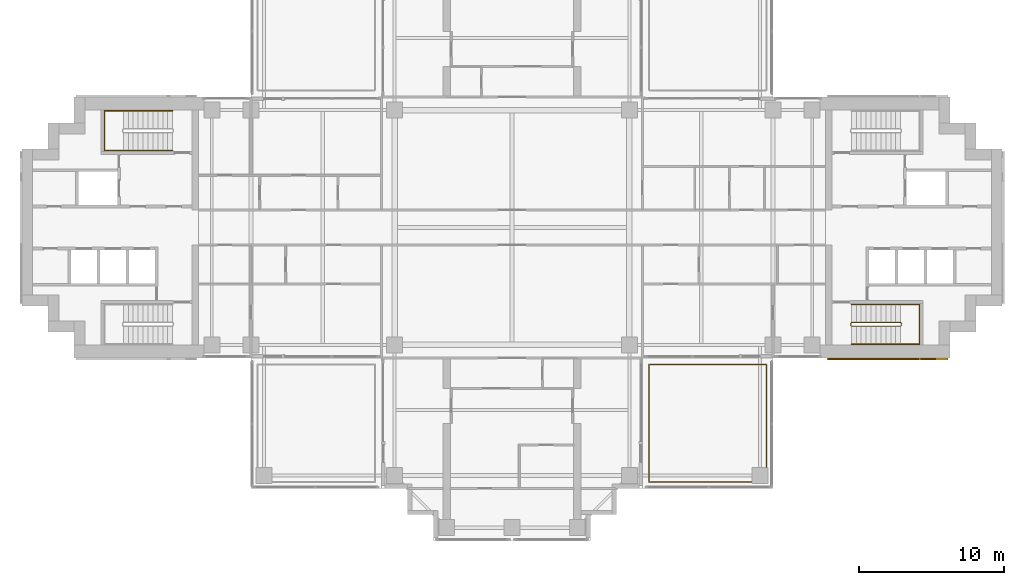
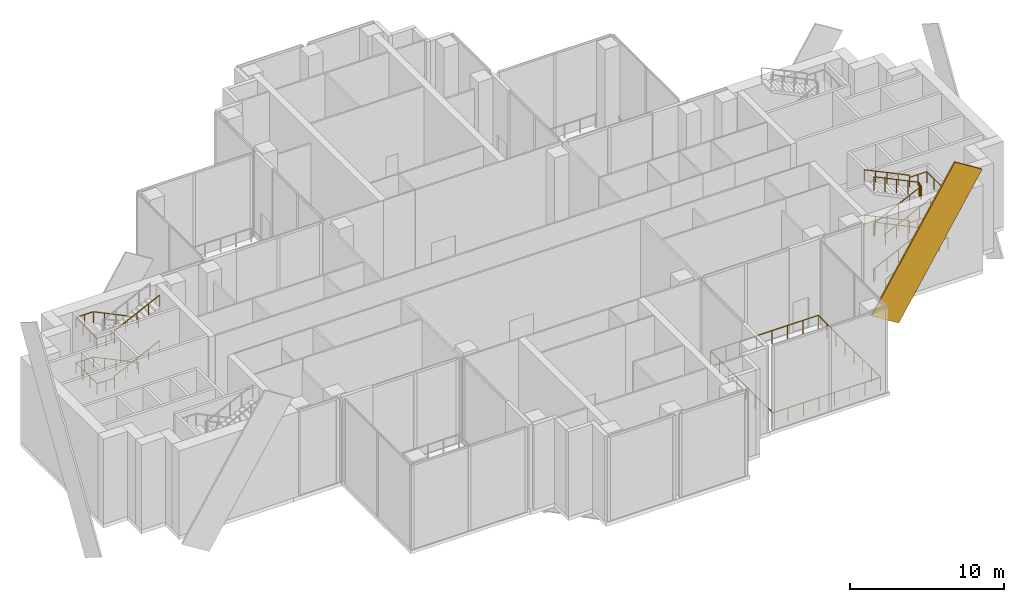
# One storey, part 16 of 17: 6 railings, 1 covering.
"""IFC4 building model written with IfcOpenShell, lengths in metres."""

from ifc_helpers import new_model, si_unit, direction, frame, origin, origin_2d, place, context, subcontext, project, spatial, rectangle, extrude, material, material_profile, profile_set, type_object, element, save


model = new_model("IFC4")

# Units and contexts
model_context = context("Model", 3, precision=1e-05, world=origin(), true_north=direction((0.0, 1.0)))
body_context = subcontext(model_context, "Body", "Model", "MODEL_VIEW")
ifc_project = project(units=[si_unit("LENGTHUNIT", "METRE"), si_unit("AREAUNIT", "SQUARE_METRE"), si_unit("VOLUMEUNIT", "CUBIC_METRE"), si_unit("PLANEANGLEUNIT", "RADIAN"), si_unit("MASSUNIT", "GRAM", prefix="KILO")], contexts=[model_context])

# Site, building, storey
site_placement = place(None, origin())
site = spatial("IfcSite", under=ifc_project, at=site_placement, CompositionType="ELEMENT")
building_placement = place(site_placement, origin())
building = spatial("IfcBuilding", under=site, at=building_placement, Name="Perihelion Cross Residences", CompositionType="ELEMENT")
storey_placement = place(building_placement, frame((0.0, 0.0, 154.89990234375)))
storey = spatial("IfcBuildingStorey", under=building, at=storey_placement, Name="L38", CompositionType="ELEMENT", Elevation=154.89990234375)

# Railing
ifc_material_1 = material(Name="Bronze anodised aluminium", Category="aluminium")
railing_type_1 = type_object("IfcRailingType", Name="Balcony guard 1100", PredefinedType="GUARDRAIL", material=ifc_material_1)
railing_1_placement = place(storey_placement, frame((17.550048828125, -17.550048828125, 0.0)))
element("IfcRailing", 1, at=railing_1_placement, inside=storey, type_object=railing_type_1, Name="Guard GU1 L38 pocket south-east 1", PredefinedType="GUARDRAIL", context=body_context, shape_type="SweptSolid", body=[
    extrude(rectangle(XDim=0.048095703125, YDim=0.048095703125, at=origin_2d()), frame((0.0, 0.0, 1.076171875), z_axis=(-1.0, 0.0, 0.0), x_axis=(0.0, -1.0, 0.0)), (0.0, 0.0, 1.0), 8.10009765625),
    extrude(rectangle(XDim=0.048095703125, YDim=0.048095703125, at=origin_2d()), frame((-8.10009765625, 0.0, 1.076171875), z_axis=(0.0, 1.0, 0.0), x_axis=(-1.0, 0.0, 0.0)), (0.0, 0.0, 1.0), 8.10009765625),
    extrude(rectangle(XDim=0.048095703125, YDim=0.048095703125, at=origin_2d()), frame((-8.10009765625, 8.10009765625, 1.076171875), z_axis=(1.0, 0.0, 0.0), x_axis=(0.0, 1.0, 0.0)), (0.0, 0.0, 1.0), 8.10009765625),
    extrude(rectangle(XDim=0.048095703125, YDim=0.048095703125, at=origin_2d()), frame((0.0, 8.10009765625, 1.076171875), z_axis=(0.0, -1.0, 0.0), x_axis=(1.0, 0.0, 0.0)), (0.0, 0.0, 1.0), 8.10009765625),
    extrude(rectangle(XDim=0.0419921875, YDim=0.0419921875, at=origin_2d()), origin(), (0.0, 0.0, 1.0), 1.052001953125),
    extrude(rectangle(XDim=0.0419921875, YDim=0.0419921875, at=origin_2d()), frame((-1.1572265625, 0.0, 0.0)), (0.0, 0.0, 1.0), 1.052001953125),
    extrude(rectangle(XDim=0.0419921875, YDim=0.0419921875, at=origin_2d()), frame((-2.314208984375, 0.0, 0.0)), (0.0, 0.0, 1.0), 1.052001953125),
    extrude(rectangle(XDim=0.0419921875, YDim=0.0419921875, at=origin_2d()), frame((-3.471435546875, 0.0, 0.0)), (0.0, 0.0, 1.0), 1.052001953125),
    extrude(rectangle(XDim=0.0419921875, YDim=0.0419921875, at=origin_2d()), frame((-4.628662109375, 0.0, 0.0)), (0.0, 0.0, 1.0), 1.052001953125),
    extrude(rectangle(XDim=0.0419921875, YDim=0.0419921875, at=origin_2d()), frame((-5.785888671875, 0.0, 0.0)), (0.0, 0.0, 1.0), 1.052001953125),
    extrude(rectangle(XDim=0.0419921875, YDim=0.0419921875, at=origin_2d()), frame((-6.94287109375, 0.0, 0.0)), (0.0, 0.0, 1.0), 1.052001953125),
    extrude(rectangle(XDim=0.0419921875, YDim=0.0419921875, at=origin_2d()), frame((-8.10009765625, 0.0, 0.0)), (0.0, 0.0, 1.0), 1.052001953125),
    extrude(rectangle(XDim=0.0419921875, YDim=0.0419921875, at=origin_2d()), frame((-8.10009765625, 1.1572265625, 0.0)), (0.0, 0.0, 1.0), 1.052001953125),
    extrude(rectangle(XDim=0.0419921875, YDim=0.0419921875, at=origin_2d()), frame((-8.10009765625, 2.314208984375, 0.0)), (0.0, 0.0, 1.0), 1.052001953125),
    extrude(rectangle(XDim=0.0419921875, YDim=0.0419921875, at=origin_2d()), frame((-8.10009765625, 3.471435546875, 0.0)), (0.0, 0.0, 1.0), 1.052001953125),
    extrude(rectangle(XDim=0.0419921875, YDim=0.0419921875, at=origin_2d()), frame((-8.10009765625, 4.628662109375, 0.0)), (0.0, 0.0, 1.0), 1.052001953125),
    extrude(rectangle(XDim=0.0419921875, YDim=0.0419921875, at=origin_2d()), frame((-8.10009765625, 5.785888671875, 0.0)), (0.0, 0.0, 1.0), 1.052001953125),
    extrude(rectangle(XDim=0.0419921875, YDim=0.0419921875, at=origin_2d()), frame((-8.10009765625, 6.94287109375, 0.0)), (0.0, 0.0, 1.0), 1.052001953125),
    extrude(rectangle(XDim=0.0419921875, YDim=0.0419921875, at=origin_2d()), frame((-8.10009765625, 8.10009765625, 0.0)), (0.0, 0.0, 1.0), 1.052001953125),
    extrude(rectangle(XDim=0.0419921875, YDim=0.0419921875, at=origin_2d()), frame((-6.94287109375, 8.10009765625, 0.0)), (0.0, 0.0, 1.0), 1.052001953125),
    extrude(rectangle(XDim=0.0419921875, YDim=0.0419921875, at=origin_2d()), frame((-5.785888671875, 8.10009765625, 0.0)), (0.0, 0.0, 1.0), 1.052001953125),
    extrude(rectangle(XDim=0.0419921875, YDim=0.0419921875, at=origin_2d()), frame((-4.628662109375, 8.10009765625, 0.0)), (0.0, 0.0, 1.0), 1.052001953125),
    extrude(rectangle(XDim=0.0419921875, YDim=0.0419921875, at=origin_2d()), frame((-3.471435546875, 8.10009765625, 0.0)), (0.0, 0.0, 1.0), 1.052001953125),
    extrude(rectangle(XDim=0.0419921875, YDim=0.0419921875, at=origin_2d()), frame((-2.314208984375, 8.10009765625, 0.0)), (0.0, 0.0, 1.0), 1.052001953125),
    extrude(rectangle(XDim=0.0419921875, YDim=0.0419921875, at=origin_2d()), frame((-1.1572265625, 8.10009765625, 0.0)), (0.0, 0.0, 1.0), 1.052001953125),
    extrude(rectangle(XDim=0.0419921875, YDim=0.0419921875, at=origin_2d()), frame((0.0, 8.10009765625, 0.0)), (0.0, 0.0, 1.0), 1.052001953125),
    extrude(rectangle(XDim=0.0419921875, YDim=0.0419921875, at=origin_2d()), frame((0.0, 6.94287109375, 0.0)), (0.0, 0.0, 1.0), 1.052001953125),
    extrude(rectangle(XDim=0.0419921875, YDim=0.0419921875, at=origin_2d()), frame((0.0, 5.785888671875, 0.0)), (0.0, 0.0, 1.0), 1.052001953125),
    extrude(rectangle(XDim=0.0419921875, YDim=0.0419921875, at=origin_2d()), frame((0.0, 4.628662109375, 0.0)), (0.0, 0.0, 1.0), 1.052001953125),
    extrude(rectangle(XDim=0.0419921875, YDim=0.0419921875, at=origin_2d()), frame((0.0, 3.471435546875, 0.0)), (0.0, 0.0, 1.0), 1.052001953125),
    extrude(rectangle(XDim=0.0419921875, YDim=0.0419921875, at=origin_2d()), frame((0.0, 2.314208984375, 0.0)), (0.0, 0.0, 1.0), 1.052001953125),
    extrude(rectangle(XDim=0.0419921875, YDim=0.0419921875, at=origin_2d()), frame((0.0, 1.1572265625, 0.0)), (0.0, 0.0, 1.0), 1.052001953125),
])

# Covering
ifc_material_2 = material(Name="Bronze anodised aluminium", Category="aluminium")
ifc_material_profile = material_profile(ifc_material_2, rectangle(XDim=0.125, YDim=2.39990234375, at=origin_2d()), Name="Bronze cladding band 2400")
ifc_profile_set = profile_set([ifc_material_profile], Name="Bronze anodised aluminium")
covering_type = type_object("IfcCoveringType", Name="Bronze cladding band 2400", PredefinedType="CLADDING", material=ifc_profile_set)
covering_placement = place(storey_placement, frame((22.767578125, -9.0625, -1.288818359375), z_axis=(0.529915403603, 0.0, 0.848050508534), x_axis=(0.0, 1.0, 0.0)))
element("IfcCovering", 2, at=covering_placement, inside=storey, type_object=covering_type, Name="Core cladding band, east core", PredefinedType="CLADDING", context=body_context, shape_type="SweptSolid", body=[
    extrude(rectangle(XDim=0.125, YDim=2.39990234375, at=origin_2d()), origin(), (0.0, 0.0, 1.0), 11.822021484375),
])

# Railings
ifc_material_3 = material(Name="Stainless steel", Category="steel")
railing_type_2 = type_object("IfcRailingType", Name="Stair guard 1100", PredefinedType="GUARDRAIL", material=ifc_material_3)
railing_2_placement = place(storey_placement, frame((23.35009765625, -6.60009765625, 0.0)))
element("IfcRailing", 3, at=railing_2_placement, inside=storey, type_object=railing_type_2, Name="L38 ST-E2 stair guard 1", PredefinedType="GUARDRAIL", context=body_context, shape_type="SweptSolid", body=[
    extrude(rectangle(XDim=0.048095703125, YDim=0.048095703125, at=origin_2d()), frame((0.0, 0.0, 1.076171875), z_axis=(0.0, -1.0, 0.0), x_axis=(1.0, 0.0, 0.0)), (0.0, 0.0, 1.0), 0.14990234375),
    extrude(rectangle(XDim=0.048095703125, YDim=0.048095703125, at=origin_2d()), frame((0.0, -0.14990234375, 1.076171875), z_axis=(0.279194930351, -0.280563532951, 0.91833234444), x_axis=(0.708833529934, 0.705375805398, 0.0)), (0.0, 0.0, 1.0), 0.178466796875),
    extrude(rectangle(XDim=0.048095703125, YDim=0.048095703125, at=origin_2d()), frame((0.0498046875, -0.199951171875, 1.23974609375), z_axis=(0.901092505359, 0.0, 0.433626909666), x_axis=(0.0, 1.0, 0.0)), (0.0, 0.0, 1.0), 3.7734375),
    extrude(rectangle(XDim=0.048095703125, YDim=0.048095703125, at=origin_2d()), frame((3.449951171875, -0.199951171875, 2.8759765625), z_axis=(0.707106781187, 0.707106781187, 0.0), x_axis=(-0.707106781187, 0.707106781187, 0.0)), (0.0, 0.0, 1.0), 0.07080078125),
    extrude(rectangle(XDim=0.048095703125, YDim=0.048095703125, at=origin_2d()), frame((3.5, -0.14990234375, 2.8759765625), z_axis=(0.0, 1.0, 0.0), x_axis=(-1.0, 0.0, 0.0)), (0.0, 0.0, 1.0), 0.14990234375),
    extrude(rectangle(XDim=0.048095703125, YDim=0.048095703125, at=origin_2d()), frame((3.5, 0.0, 2.8759765625), z_axis=(-0.280808744504, 0.280808744504, 0.917765164963), x_axis=(-0.707106781187, -0.707106781187, 0.0)), (0.0, 0.0, 1.0), 0.17822265625),
    extrude(rectangle(XDim=0.048095703125, YDim=0.048095703125, at=origin_2d()), frame((3.449951171875, 0.050048828125, 3.03955078125), z_axis=(-0.901067223353, 0.0, 0.433679442675), x_axis=(0.0, -1.0, 0.0)), (0.0, 0.0, 1.0), 3.7734375),
    extrude(rectangle(XDim=0.048095703125, YDim=0.048095703125, at=origin_2d()), frame((0.0498046875, 0.050048828125, 4.67626953125), z_axis=(-0.241699205484, -0.970351222016, 0.0), x_axis=(0.970351222016, -0.241699205484, 0.0)), (0.0, 0.0, 1.0), 0.2060546875),
    extrude(rectangle(XDim=0.048095703125, YDim=0.048095703125, at=origin_2d()), frame((0.0, -0.14990234375, 4.67626953125), z_axis=(0.0, 1.0, 0.0), x_axis=(-1.0, 0.0, 0.0)), (0.0, 0.0, 1.0), 0.14990234375),
    extrude(rectangle(XDim=0.048095703125, YDim=0.048095703125, at=origin_2d()), frame((0.0, 0.0, 4.67626953125), z_axis=(0.189305074214, -0.760004195007, 0.621737253547), x_axis=(0.970351222016, 0.241699205484, 0.0)), (0.0, 0.0, 1.0), 0.26318359375),
    extrude(rectangle(XDim=0.048095703125, YDim=0.048095703125, at=origin_2d()), frame((0.0498046875, -0.199951171875, 4.83984375), z_axis=(0.901067223353, 0.0, 0.433679442675), x_axis=(0.0, 1.0, 0.0)), (0.0, 0.0, 1.0), 3.7734375),
    extrude(rectangle(XDim=0.048095703125, YDim=0.048095703125, at=origin_2d()), frame((3.449951171875, -0.199951171875, 6.47607421875), z_axis=(0.707106781187, 0.707106781187, 0.0), x_axis=(-0.707106781187, 0.707106781187, 0.0)), (0.0, 0.0, 1.0), 0.07080078125),
    extrude(rectangle(XDim=0.048095703125, YDim=0.048095703125, at=origin_2d()), frame((3.5, -0.14990234375, 6.47607421875), z_axis=(0.0, 1.0, 0.0), x_axis=(-1.0, 0.0, 0.0)), (0.0, 0.0, 1.0), 0.14990234375),
    extrude(rectangle(XDim=0.048095703125, YDim=0.048095703125, at=origin_2d()), frame((3.5, 0.0, 6.47607421875), z_axis=(-0.280808744504, 0.280808744504, 0.917765164963), x_axis=(-0.707106781187, -0.707106781187, 0.0)), (0.0, 0.0, 1.0), 0.17822265625),
    extrude(rectangle(XDim=0.048095703125, YDim=0.048095703125, at=origin_2d()), frame((3.449951171875, 0.050048828125, 6.6396484375), z_axis=(-0.901067223353, 0.0, 0.433679442675), x_axis=(0.0, -1.0, 0.0)), (0.0, 0.0, 1.0), 3.7734375),
    extrude(rectangle(XDim=0.0419921875, YDim=0.0419921875, at=origin_2d()), origin(), (0.0, 0.0, 1.0), 1.052001953125),
    extrude(rectangle(XDim=0.0419921875, YDim=0.0419921875, at=origin_2d()), frame((0.0, -0.14990234375, 0.0)), (0.0, 0.0, 1.0), 1.052001953125),
    extrude(rectangle(XDim=0.0419921875, YDim=0.0419921875, at=origin_2d()), frame((0.0498046875, -0.199951171875, 0.163818359375)), (0.0, 0.0, 1.0), 1.052001953125),
    extrude(rectangle(XDim=0.0419921875, YDim=0.0419921875, at=origin_2d()), frame((0.89990234375, -0.199951171875, 0.57275390625)), (0.0, 0.0, 1.0), 1.052001953125),
    extrude(rectangle(XDim=0.0419921875, YDim=0.0419921875, at=origin_2d()), frame((1.75, -0.199951171875, 0.98193359375)), (0.0, 0.0, 1.0), 1.052001953125),
    extrude(rectangle(XDim=0.0419921875, YDim=0.0419921875, at=origin_2d()), frame((2.599853515625, -0.199951171875, 1.39111328125)), (0.0, 0.0, 1.0), 1.052001953125),
    extrude(rectangle(XDim=0.0419921875, YDim=0.0419921875, at=origin_2d()), frame((3.449951171875, -0.199951171875, 1.800048828125)), (0.0, 0.0, 1.0), 1.052001953125),
    extrude(rectangle(XDim=0.0419921875, YDim=0.0419921875, at=origin_2d()), frame((3.5, -0.14990234375, 1.800048828125)), (0.0, 0.0, 1.0), 1.052001953125),
    extrude(rectangle(XDim=0.0419921875, YDim=0.0419921875, at=origin_2d()), frame((3.5, 0.0, 1.800048828125)), (0.0, 0.0, 1.0), 1.052001953125),
    extrude(rectangle(XDim=0.0419921875, YDim=0.0419921875, at=origin_2d()), frame((3.449951171875, 0.050048828125, 1.963623046875)), (0.0, 0.0, 1.0), 1.052001953125),
    extrude(rectangle(XDim=0.0419921875, YDim=0.0419921875, at=origin_2d()), frame((2.599853515625, 0.050048828125, 2.372802734375)), (0.0, 0.0, 1.0), 1.052001953125),
    extrude(rectangle(XDim=0.0419921875, YDim=0.0419921875, at=origin_2d()), frame((1.75, 0.050048828125, 2.78173828125)), (0.0, 0.0, 1.0), 1.052001953125),
    extrude(rectangle(XDim=0.0419921875, YDim=0.0419921875, at=origin_2d()), frame((0.89990234375, 0.050048828125, 3.19091796875)), (0.0, 0.0, 1.0), 1.052001953125),
    extrude(rectangle(XDim=0.0419921875, YDim=0.0419921875, at=origin_2d()), frame((0.0498046875, 0.050048828125, 3.60009765625)), (0.0, 0.0, 1.0), 1.052001953125),
    extrude(rectangle(XDim=0.0419921875, YDim=0.0419921875, at=origin_2d()), frame((0.0, -0.14990234375, 3.60009765625)), (0.0, 0.0, 1.0), 1.052001953125),
    extrude(rectangle(XDim=0.0419921875, YDim=0.0419921875, at=origin_2d()), frame((0.0, 0.0, 3.60009765625)), (0.0, 0.0, 1.0), 1.052001953125),
    extrude(rectangle(XDim=0.0419921875, YDim=0.0419921875, at=origin_2d()), frame((0.0498046875, -0.199951171875, 3.763671875)), (0.0, 0.0, 1.0), 1.052001953125),
    extrude(rectangle(XDim=0.0419921875, YDim=0.0419921875, at=origin_2d()), frame((0.89990234375, -0.199951171875, 4.1728515625)), (0.0, 0.0, 1.0), 1.052001953125),
    extrude(rectangle(XDim=0.0419921875, YDim=0.0419921875, at=origin_2d()), frame((1.75, -0.199951171875, 4.58203125)), (0.0, 0.0, 1.0), 1.052001953125),
    extrude(rectangle(XDim=0.0419921875, YDim=0.0419921875, at=origin_2d()), frame((2.599853515625, -0.199951171875, 4.990966796875)), (0.0, 0.0, 1.0), 1.052001953125),
    extrude(rectangle(XDim=0.0419921875, YDim=0.0419921875, at=origin_2d()), frame((3.449951171875, -0.199951171875, 5.400146484375)), (0.0, 0.0, 1.0), 1.052001953125),
    extrude(rectangle(XDim=0.0419921875, YDim=0.0419921875, at=origin_2d()), frame((3.5, -0.14990234375, 5.400146484375)), (0.0, 0.0, 1.0), 1.052001953125),
    extrude(rectangle(XDim=0.0419921875, YDim=0.0419921875, at=origin_2d()), frame((3.5, 0.0, 5.400146484375)), (0.0, 0.0, 1.0), 1.052001953125),
    extrude(rectangle(XDim=0.0419921875, YDim=0.0419921875, at=origin_2d()), frame((3.449951171875, 0.050048828125, 5.563720703125)), (0.0, 0.0, 1.0), 1.052001953125),
    extrude(rectangle(XDim=0.0419921875, YDim=0.0419921875, at=origin_2d()), frame((2.599853515625, 0.050048828125, 5.972900390625)), (0.0, 0.0, 1.0), 1.052001953125),
    extrude(rectangle(XDim=0.0419921875, YDim=0.0419921875, at=origin_2d()), frame((1.75, 0.050048828125, 6.3818359375)), (0.0, 0.0, 1.0), 1.052001953125),
    extrude(rectangle(XDim=0.0419921875, YDim=0.0419921875, at=origin_2d()), frame((0.89990234375, 0.050048828125, 6.791015625)), (0.0, 0.0, 1.0), 1.052001953125),
    extrude(rectangle(XDim=0.0419921875, YDim=0.0419921875, at=origin_2d()), frame((0.0498046875, 0.050048828125, 7.2001953125)), (0.0, 0.0, 1.0), 1.052001953125),
])
ifc_material_4 = material(Name="Stainless steel", Category="steel")
railing_type_3 = type_object("IfcRailingType", Name="Stair handrail 900", PredefinedType="HANDRAIL", material=ifc_material_4)
railing_3_placement = place(storey_placement, frame((23.39990234375, -8.050048828125, 0.163818359375)))
element("IfcRailing", 4, at=railing_3_placement, inside=storey, type_object=railing_type_3, Name="L38 ST-E2 stair handrail 1", PredefinedType="HANDRAIL", context=body_context, shape_type="SweptSolid", body=[
    extrude(rectangle(XDim=0.048095703125, YDim=0.048095703125, at=origin_2d()), frame((0.0, 0.0, 0.8759765625), z_axis=(0.901092505359, 0.0, 0.433626909666), x_axis=(0.0, 1.0, 0.0)), (0.0, 0.0, 1.0), 3.7734375),
    extrude(rectangle(XDim=0.048095703125, YDim=0.048095703125, at=origin_2d()), frame((3.400146484375, 0.0, 2.51220703125), z_axis=(1.0, 0.0, 0.0), x_axis=(0.0, 1.0, 0.0)), (0.0, 0.0, 1.0), 1.300048828125),
    extrude(rectangle(XDim=0.048095703125, YDim=0.048095703125, at=origin_2d()), frame((4.7001953125, 0.0, 2.51220703125), z_axis=(0.0, 1.0, 0.0), x_axis=(-1.0, 0.0, 0.0)), (0.0, 0.0, 1.0), 2.75),
    extrude(rectangle(XDim=0.048095703125, YDim=0.048095703125, at=origin_2d()), frame((4.7001953125, 2.75, 2.51220703125), z_axis=(-1.0, 0.0, 0.0), x_axis=(0.0, -1.0, 0.0)), (0.0, 0.0, 1.0), 1.300048828125),
    extrude(rectangle(XDim=0.048095703125, YDim=0.048095703125, at=origin_2d()), frame((3.400146484375, 2.75, 2.51220703125), z_axis=(0.0, 0.0, 1.0), x_axis=(1.0, 0.0, 0.0)), (0.0, 0.0, 1.0), 0.16357421875),
    extrude(rectangle(XDim=0.048095703125, YDim=0.048095703125, at=origin_2d()), frame((3.400146484375, 2.75, 2.67578125), z_axis=(-0.901067223353, 0.0, 0.433679442675), x_axis=(0.0, -1.0, 0.0)), (0.0, 0.0, 1.0), 3.7734375),
    extrude(rectangle(XDim=0.0419921875, YDim=0.0419921875, at=origin_2d()), origin(), (0.0, 0.0, 1.0), 0.851806640625),
    extrude(rectangle(XDim=0.0419921875, YDim=0.0419921875, at=origin_2d()), frame((0.85009765625, 0.0, 0.4091796875)), (0.0, 0.0, 1.0), 0.851806640625),
    extrude(rectangle(XDim=0.0419921875, YDim=0.0419921875, at=origin_2d()), frame((1.7001953125, 0.0, 0.818115234375)), (0.0, 0.0, 1.0), 0.851806640625),
    extrude(rectangle(XDim=0.0419921875, YDim=0.0419921875, at=origin_2d()), frame((2.550048828125, 0.0, 1.22705078125)), (0.0, 0.0, 1.0), 0.851806640625),
    extrude(rectangle(XDim=0.0419921875, YDim=0.0419921875, at=origin_2d()), frame((3.400146484375, 0.0, 1.63623046875)), (0.0, 0.0, 1.0), 0.851806640625),
    extrude(rectangle(XDim=0.0419921875, YDim=0.0419921875, at=origin_2d()), frame((4.05029296875, 0.0, 1.63623046875)), (0.0, 0.0, 1.0), 0.851806640625),
    extrude(rectangle(XDim=0.0419921875, YDim=0.0419921875, at=origin_2d()), frame((4.7001953125, 0.0, 1.63623046875)), (0.0, 0.0, 1.0), 0.851806640625),
    extrude(rectangle(XDim=0.0419921875, YDim=0.0419921875, at=origin_2d()), frame((4.7001953125, 0.916748046875, 1.63623046875)), (0.0, 0.0, 1.0), 0.851806640625),
    extrude(rectangle(XDim=0.0419921875, YDim=0.0419921875, at=origin_2d()), frame((4.7001953125, 1.833251953125, 1.63623046875)), (0.0, 0.0, 1.0), 0.851806640625),
    extrude(rectangle(XDim=0.0419921875, YDim=0.0419921875, at=origin_2d()), frame((4.7001953125, 2.75, 1.63623046875)), (0.0, 0.0, 1.0), 0.851806640625),
    extrude(rectangle(XDim=0.0419921875, YDim=0.0419921875, at=origin_2d()), frame((4.05029296875, 2.75, 1.63623046875)), (0.0, 0.0, 1.0), 0.851806640625),
    extrude(rectangle(XDim=0.0419921875, YDim=0.0419921875, at=origin_2d()), frame((3.400146484375, 2.75, 1.63623046875)), (0.0, 0.0, 1.0), 0.851806640625),
    extrude(rectangle(XDim=0.0419921875, YDim=0.0419921875, at=origin_2d()), frame((3.400146484375, 2.75, 1.7998046875)), (0.0, 0.0, 1.0), 0.851806640625),
    extrude(rectangle(XDim=0.0419921875, YDim=0.0419921875, at=origin_2d()), frame((2.550048828125, 2.75, 2.208984375)), (0.0, 0.0, 1.0), 0.851806640625),
    extrude(rectangle(XDim=0.0419921875, YDim=0.0419921875, at=origin_2d()), frame((1.7001953125, 2.75, 2.6181640625)), (0.0, 0.0, 1.0), 0.851806640625),
    extrude(rectangle(XDim=0.0419921875, YDim=0.0419921875, at=origin_2d()), frame((0.85009765625, 2.75, 3.027099609375)), (0.0, 0.0, 1.0), 0.851806640625),
    extrude(rectangle(XDim=0.0419921875, YDim=0.0419921875, at=origin_2d()), frame((0.0, 2.75, 3.436279296875)), (0.0, 0.0, 1.0), 0.851806640625),
])
railing_4_placement = place(storey_placement, frame((23.39990234375, -8.050048828125, 3.763671875)))
element("IfcRailing", 5, at=railing_4_placement, inside=storey, type_object=railing_type_3, Name="L38 ST-E2 stair handrail 2", PredefinedType="HANDRAIL", context=body_context, shape_type="SweptSolid", body=[
    extrude(rectangle(XDim=0.048095703125, YDim=0.048095703125, at=origin_2d()), frame((0.0, 0.0, 0.8759765625), z_axis=(0.901067223353, 0.0, 0.433679442675), x_axis=(0.0, 1.0, 0.0)), (0.0, 0.0, 1.0), 3.7734375),
    extrude(rectangle(XDim=0.048095703125, YDim=0.048095703125, at=origin_2d()), frame((3.400146484375, 0.0, 2.51220703125), z_axis=(1.0, 0.0, 0.0), x_axis=(0.0, 1.0, 0.0)), (0.0, 0.0, 1.0), 1.300048828125),
    extrude(rectangle(XDim=0.048095703125, YDim=0.048095703125, at=origin_2d()), frame((4.7001953125, 0.0, 2.51220703125), z_axis=(0.0, 1.0, 0.0), x_axis=(-1.0, 0.0, 0.0)), (0.0, 0.0, 1.0), 2.75),
    extrude(rectangle(XDim=0.048095703125, YDim=0.048095703125, at=origin_2d()), frame((4.7001953125, 2.75, 2.51220703125), z_axis=(-1.0, 0.0, 0.0), x_axis=(0.0, -1.0, 0.0)), (0.0, 0.0, 1.0), 1.300048828125),
    extrude(rectangle(XDim=0.048095703125, YDim=0.048095703125, at=origin_2d()), frame((3.400146484375, 2.75, 2.51220703125), z_axis=(0.0, 0.0, 1.0), x_axis=(1.0, 0.0, 0.0)), (0.0, 0.0, 1.0), 0.16357421875),
    extrude(rectangle(XDim=0.048095703125, YDim=0.048095703125, at=origin_2d()), frame((3.400146484375, 2.75, 2.67578125), z_axis=(-0.901067223353, 0.0, 0.433679442675), x_axis=(0.0, -1.0, 0.0)), (0.0, 0.0, 1.0), 3.7734375),
    extrude(rectangle(XDim=0.0419921875, YDim=0.0419921875, at=origin_2d()), origin(), (0.0, 0.0, 1.0), 0.851806640625),
    extrude(rectangle(XDim=0.0419921875, YDim=0.0419921875, at=origin_2d()), frame((0.85009765625, 0.0, 0.4091796875)), (0.0, 0.0, 1.0), 0.851806640625),
    extrude(rectangle(XDim=0.0419921875, YDim=0.0419921875, at=origin_2d()), frame((1.7001953125, 0.0, 0.818359375)), (0.0, 0.0, 1.0), 0.851806640625),
    extrude(rectangle(XDim=0.0419921875, YDim=0.0419921875, at=origin_2d()), frame((2.550048828125, 0.0, 1.227294921875)), (0.0, 0.0, 1.0), 0.851806640625),
    extrude(rectangle(XDim=0.0419921875, YDim=0.0419921875, at=origin_2d()), frame((3.400146484375, 0.0, 1.636474609375)), (0.0, 0.0, 1.0), 0.851806640625),
    extrude(rectangle(XDim=0.0419921875, YDim=0.0419921875, at=origin_2d()), frame((4.05029296875, 0.0, 1.636474609375)), (0.0, 0.0, 1.0), 0.851806640625),
    extrude(rectangle(XDim=0.0419921875, YDim=0.0419921875, at=origin_2d()), frame((4.7001953125, 0.0, 1.636474609375)), (0.0, 0.0, 1.0), 0.851806640625),
    extrude(rectangle(XDim=0.0419921875, YDim=0.0419921875, at=origin_2d()), frame((4.7001953125, 0.916748046875, 1.636474609375)), (0.0, 0.0, 1.0), 0.851806640625),
    extrude(rectangle(XDim=0.0419921875, YDim=0.0419921875, at=origin_2d()), frame((4.7001953125, 1.833251953125, 1.636474609375)), (0.0, 0.0, 1.0), 0.851806640625),
    extrude(rectangle(XDim=0.0419921875, YDim=0.0419921875, at=origin_2d()), frame((4.7001953125, 2.75, 1.636474609375)), (0.0, 0.0, 1.0), 0.851806640625),
    extrude(rectangle(XDim=0.0419921875, YDim=0.0419921875, at=origin_2d()), frame((4.05029296875, 2.75, 1.636474609375)), (0.0, 0.0, 1.0), 0.851806640625),
    extrude(rectangle(XDim=0.0419921875, YDim=0.0419921875, at=origin_2d()), frame((3.400146484375, 2.75, 1.636474609375)), (0.0, 0.0, 1.0), 0.851806640625),
    extrude(rectangle(XDim=0.0419921875, YDim=0.0419921875, at=origin_2d()), frame((3.400146484375, 2.75, 1.800048828125)), (0.0, 0.0, 1.0), 0.851806640625),
    extrude(rectangle(XDim=0.0419921875, YDim=0.0419921875, at=origin_2d()), frame((2.550048828125, 2.75, 2.209228515625)), (0.0, 0.0, 1.0), 0.851806640625),
    extrude(rectangle(XDim=0.0419921875, YDim=0.0419921875, at=origin_2d()), frame((1.7001953125, 2.75, 2.6181640625)), (0.0, 0.0, 1.0), 0.851806640625),
    extrude(rectangle(XDim=0.0419921875, YDim=0.0419921875, at=origin_2d()), frame((0.85009765625, 2.75, 3.02734375)), (0.0, 0.0, 1.0), 0.851806640625),
    extrude(rectangle(XDim=0.0419921875, YDim=0.0419921875, at=origin_2d()), frame((0.0, 2.75, 3.4365234375)), (0.0, 0.0, 1.0), 0.851806640625),
])
railing_5_placement = place(storey_placement, frame((-23.39990234375, 8.050048828125, 0.163818359375)))
element("IfcRailing", 6, at=railing_5_placement, inside=storey, type_object=railing_type_3, Name="L38 ST-W1 stair handrail 1", PredefinedType="HANDRAIL", context=body_context, shape_type="SweptSolid", body=[
    extrude(rectangle(XDim=0.048095703125, YDim=0.048095703125, at=origin_2d()), frame((0.0, 0.0, 0.8759765625), z_axis=(-0.901092505359, 0.0, 0.433626909666), x_axis=(0.0, -1.0, 0.0)), (0.0, 0.0, 1.0), 3.7734375),
    extrude(rectangle(XDim=0.048095703125, YDim=0.048095703125, at=origin_2d()), frame((-3.400146484375, 0.0, 2.51220703125), z_axis=(-1.0, 0.0, 0.0), x_axis=(0.0, -1.0, 0.0)), (0.0, 0.0, 1.0), 1.300048828125),
    extrude(rectangle(XDim=0.048095703125, YDim=0.048095703125, at=origin_2d()), frame((-4.7001953125, 0.0, 2.51220703125), z_axis=(0.0, -1.0, 0.0), x_axis=(1.0, 0.0, 0.0)), (0.0, 0.0, 1.0), 2.75),
    extrude(rectangle(XDim=0.048095703125, YDim=0.048095703125, at=origin_2d()), frame((-4.7001953125, -2.75, 2.51220703125), z_axis=(1.0, 0.0, 0.0), x_axis=(0.0, 1.0, 0.0)), (0.0, 0.0, 1.0), 1.300048828125),
    extrude(rectangle(XDim=0.048095703125, YDim=0.048095703125, at=origin_2d()), frame((-3.400146484375, -2.75, 2.51220703125), z_axis=(0.0, 0.0, 1.0), x_axis=(1.0, 0.0, 0.0)), (0.0, 0.0, 1.0), 0.16357421875),
    extrude(rectangle(XDim=0.048095703125, YDim=0.048095703125, at=origin_2d()), frame((-3.400146484375, -2.75, 2.67578125), z_axis=(0.901067223353, 0.0, 0.433679442675), x_axis=(0.0, 1.0, 0.0)), (0.0, 0.0, 1.0), 3.7734375),
    extrude(rectangle(XDim=0.0419921875, YDim=0.0419921875, at=origin_2d()), origin(), (0.0, 0.0, 1.0), 0.851806640625),
    extrude(rectangle(XDim=0.0419921875, YDim=0.0419921875, at=origin_2d()), frame((-0.85009765625, 0.0, 0.4091796875)), (0.0, 0.0, 1.0), 0.851806640625),
    extrude(rectangle(XDim=0.0419921875, YDim=0.0419921875, at=origin_2d()), frame((-1.7001953125, 0.0, 0.818115234375)), (0.0, 0.0, 1.0), 0.851806640625),
    extrude(rectangle(XDim=0.0419921875, YDim=0.0419921875, at=origin_2d()), frame((-2.550048828125, 0.0, 1.22705078125)), (0.0, 0.0, 1.0), 0.851806640625),
    extrude(rectangle(XDim=0.0419921875, YDim=0.0419921875, at=origin_2d()), frame((-3.400146484375, 0.0, 1.63623046875)), (0.0, 0.0, 1.0), 0.851806640625),
    extrude(rectangle(XDim=0.0419921875, YDim=0.0419921875, at=origin_2d()), frame((-4.05029296875, 0.0, 1.63623046875)), (0.0, 0.0, 1.0), 0.851806640625),
    extrude(rectangle(XDim=0.0419921875, YDim=0.0419921875, at=origin_2d()), frame((-4.7001953125, 0.0, 1.63623046875)), (0.0, 0.0, 1.0), 0.851806640625),
    extrude(rectangle(XDim=0.0419921875, YDim=0.0419921875, at=origin_2d()), frame((-4.7001953125, -0.916748046875, 1.63623046875)), (0.0, 0.0, 1.0), 0.851806640625),
    extrude(rectangle(XDim=0.0419921875, YDim=0.0419921875, at=origin_2d()), frame((-4.7001953125, -1.833251953125, 1.63623046875)), (0.0, 0.0, 1.0), 0.851806640625),
    extrude(rectangle(XDim=0.0419921875, YDim=0.0419921875, at=origin_2d()), frame((-4.7001953125, -2.75, 1.63623046875)), (0.0, 0.0, 1.0), 0.851806640625),
    extrude(rectangle(XDim=0.0419921875, YDim=0.0419921875, at=origin_2d()), frame((-4.05029296875, -2.75, 1.63623046875)), (0.0, 0.0, 1.0), 0.851806640625),
    extrude(rectangle(XDim=0.0419921875, YDim=0.0419921875, at=origin_2d()), frame((-3.400146484375, -2.75, 1.63623046875)), (0.0, 0.0, 1.0), 0.851806640625),
    extrude(rectangle(XDim=0.0419921875, YDim=0.0419921875, at=origin_2d()), frame((-3.400146484375, -2.75, 1.7998046875)), (0.0, 0.0, 1.0), 0.851806640625),
    extrude(rectangle(XDim=0.0419921875, YDim=0.0419921875, at=origin_2d()), frame((-2.550048828125, -2.75, 2.208984375)), (0.0, 0.0, 1.0), 0.851806640625),
    extrude(rectangle(XDim=0.0419921875, YDim=0.0419921875, at=origin_2d()), frame((-1.7001953125, -2.75, 2.6181640625)), (0.0, 0.0, 1.0), 0.851806640625),
    extrude(rectangle(XDim=0.0419921875, YDim=0.0419921875, at=origin_2d()), frame((-0.85009765625, -2.75, 3.027099609375)), (0.0, 0.0, 1.0), 0.851806640625),
    extrude(rectangle(XDim=0.0419921875, YDim=0.0419921875, at=origin_2d()), frame((0.0, -2.75, 3.436279296875)), (0.0, 0.0, 1.0), 0.851806640625),
])
railing_6_placement = place(storey_placement, frame((-23.39990234375, 8.050048828125, 3.763671875)))
element("IfcRailing", 7, at=railing_6_placement, inside=storey, type_object=railing_type_3, Name="L38 ST-W1 stair handrail 2", PredefinedType="HANDRAIL", context=body_context, shape_type="SweptSolid", body=[
    extrude(rectangle(XDim=0.048095703125, YDim=0.048095703125, at=origin_2d()), frame((0.0, 0.0, 0.8759765625), z_axis=(-0.901067223353, 0.0, 0.433679442675), x_axis=(0.0, -1.0, 0.0)), (0.0, 0.0, 1.0), 3.7734375),
    extrude(rectangle(XDim=0.048095703125, YDim=0.048095703125, at=origin_2d()), frame((-3.400146484375, 0.0, 2.51220703125), z_axis=(-1.0, 0.0, 0.0), x_axis=(0.0, -1.0, 0.0)), (0.0, 0.0, 1.0), 1.300048828125),
    extrude(rectangle(XDim=0.048095703125, YDim=0.048095703125, at=origin_2d()), frame((-4.7001953125, 0.0, 2.51220703125), z_axis=(0.0, -1.0, 0.0), x_axis=(1.0, 0.0, 0.0)), (0.0, 0.0, 1.0), 2.75),
    extrude(rectangle(XDim=0.048095703125, YDim=0.048095703125, at=origin_2d()), frame((-4.7001953125, -2.75, 2.51220703125), z_axis=(1.0, 0.0, 0.0), x_axis=(0.0, 1.0, 0.0)), (0.0, 0.0, 1.0), 1.300048828125),
    extrude(rectangle(XDim=0.048095703125, YDim=0.048095703125, at=origin_2d()), frame((-3.400146484375, -2.75, 2.51220703125), z_axis=(0.0, 0.0, 1.0), x_axis=(1.0, 0.0, 0.0)), (0.0, 0.0, 1.0), 0.16357421875),
    extrude(rectangle(XDim=0.048095703125, YDim=0.048095703125, at=origin_2d()), frame((-3.400146484375, -2.75, 2.67578125), z_axis=(0.901067223353, 0.0, 0.433679442675), x_axis=(0.0, 1.0, 0.0)), (0.0, 0.0, 1.0), 3.7734375),
    extrude(rectangle(XDim=0.0419921875, YDim=0.0419921875, at=origin_2d()), origin(), (0.0, 0.0, 1.0), 0.851806640625),
    extrude(rectangle(XDim=0.0419921875, YDim=0.0419921875, at=origin_2d()), frame((-0.85009765625, 0.0, 0.4091796875)), (0.0, 0.0, 1.0), 0.851806640625),
    extrude(rectangle(XDim=0.0419921875, YDim=0.0419921875, at=origin_2d()), frame((-1.7001953125, 0.0, 0.818359375)), (0.0, 0.0, 1.0), 0.851806640625),
    extrude(rectangle(XDim=0.0419921875, YDim=0.0419921875, at=origin_2d()), frame((-2.550048828125, 0.0, 1.227294921875)), (0.0, 0.0, 1.0), 0.851806640625),
    extrude(rectangle(XDim=0.0419921875, YDim=0.0419921875, at=origin_2d()), frame((-3.400146484375, 0.0, 1.636474609375)), (0.0, 0.0, 1.0), 0.851806640625),
    extrude(rectangle(XDim=0.0419921875, YDim=0.0419921875, at=origin_2d()), frame((-4.05029296875, 0.0, 1.636474609375)), (0.0, 0.0, 1.0), 0.851806640625),
    extrude(rectangle(XDim=0.0419921875, YDim=0.0419921875, at=origin_2d()), frame((-4.7001953125, 0.0, 1.636474609375)), (0.0, 0.0, 1.0), 0.851806640625),
    extrude(rectangle(XDim=0.0419921875, YDim=0.0419921875, at=origin_2d()), frame((-4.7001953125, -0.916748046875, 1.636474609375)), (0.0, 0.0, 1.0), 0.851806640625),
    extrude(rectangle(XDim=0.0419921875, YDim=0.0419921875, at=origin_2d()), frame((-4.7001953125, -1.833251953125, 1.636474609375)), (0.0, 0.0, 1.0), 0.851806640625),
    extrude(rectangle(XDim=0.0419921875, YDim=0.0419921875, at=origin_2d()), frame((-4.7001953125, -2.75, 1.636474609375)), (0.0, 0.0, 1.0), 0.851806640625),
    extrude(rectangle(XDim=0.0419921875, YDim=0.0419921875, at=origin_2d()), frame((-4.05029296875, -2.75, 1.636474609375)), (0.0, 0.0, 1.0), 0.851806640625),
    extrude(rectangle(XDim=0.0419921875, YDim=0.0419921875, at=origin_2d()), frame((-3.400146484375, -2.75, 1.636474609375)), (0.0, 0.0, 1.0), 0.851806640625),
    extrude(rectangle(XDim=0.0419921875, YDim=0.0419921875, at=origin_2d()), frame((-3.400146484375, -2.75, 1.800048828125)), (0.0, 0.0, 1.0), 0.851806640625),
    extrude(rectangle(XDim=0.0419921875, YDim=0.0419921875, at=origin_2d()), frame((-2.550048828125, -2.75, 2.209228515625)), (0.0, 0.0, 1.0), 0.851806640625),
    extrude(rectangle(XDim=0.0419921875, YDim=0.0419921875, at=origin_2d()), frame((-1.7001953125, -2.75, 2.6181640625)), (0.0, 0.0, 1.0), 0.851806640625),
    extrude(rectangle(XDim=0.0419921875, YDim=0.0419921875, at=origin_2d()), frame((-0.85009765625, -2.75, 3.02734375)), (0.0, 0.0, 1.0), 0.851806640625),
    extrude(rectangle(XDim=0.0419921875, YDim=0.0419921875, at=origin_2d()), frame((0.0, -2.75, 3.4365234375)), (0.0, 0.0, 1.0), 0.851806640625),
])

save(model, "model.ifc")
